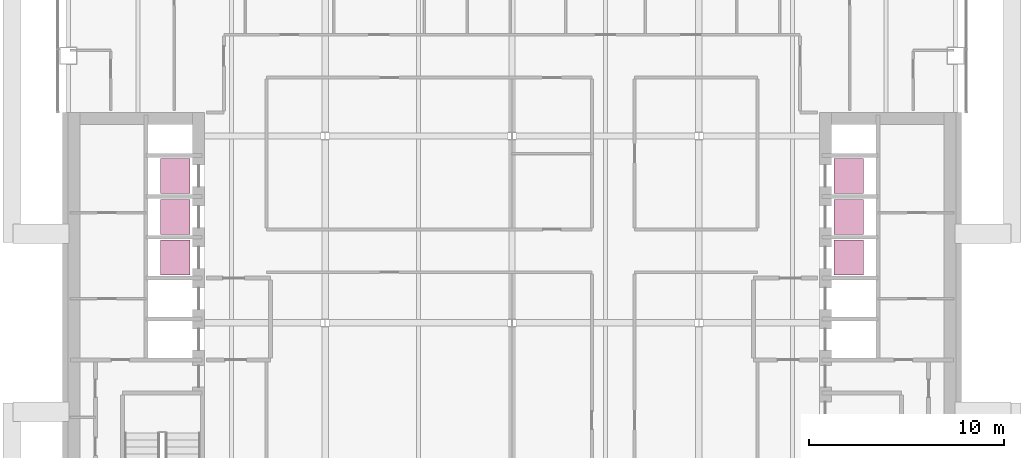
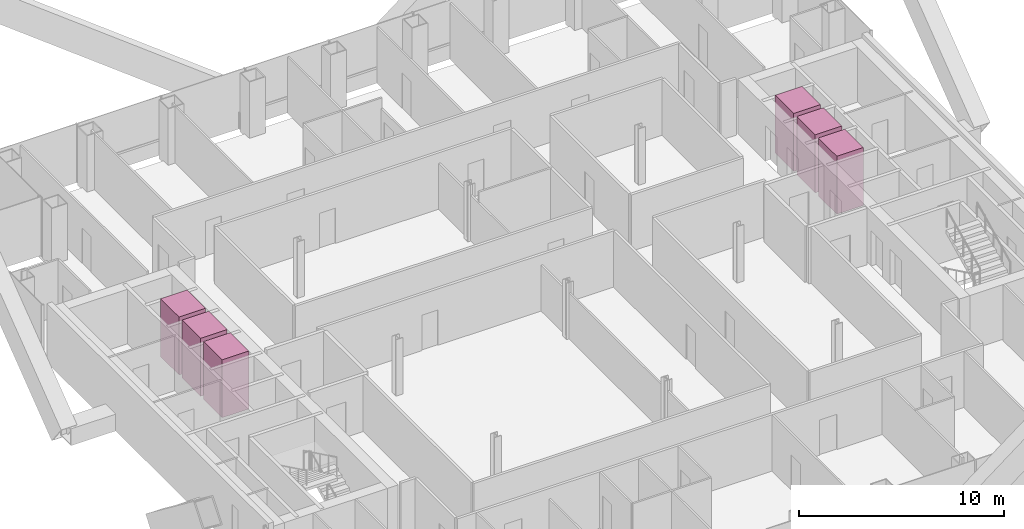
# One storey, part 17 of 17: 6 transport elements.
"""IFC4 building model written with IfcOpenShell, lengths in metres."""

import ifcopenshell
import ifcopenshell.guid

model = None  # the IFC model being written
_history = None  # IfcOwnerHistory: only IFC2X3 demands one
_inside = {}  # id of a spatial element -> (the spatial element, [elements in it])
_under = {}  # id of a project, library or spatial element -> (it, [spatial elements below it])
_declared = {}  # id of a project -> (the project, [libraries it declares])
_typed = {}  # id of a type object -> (the type object, [elements of that type])
_made_of = {}  # id of a material, layer set ... -> (it, [elements and type objects made of it])


def new_model(schema):
    """Start an empty IFC model of exactly this schema.

    Asked for "IFC4X3", IfcOpenShell would pick the latest addendum, in which some entities
    have other attributes; the version numbers below select the first issue.
    IFC2X3 requires an IfcOwnerHistory on every rooted entity: one is made here for all.
    """
    global model, _history
    if schema == "IFC4X3":
        model = ifcopenshell.file(schema_version=(4, 3, 0, 0))
    else:
        model = ifcopenshell.file(schema=schema)
    _inside.clear()
    _under.clear()
    _declared.clear()
    _typed.clear()
    _made_of.clear()
    _history = None
    if model.schema == "IFC2X3":
        org = make("IfcOrganization", Name="unknown")
        user = make(
            "IfcPersonAndOrganization",
            ThePerson=make("IfcPerson", FamilyName="unknown"),
            TheOrganization=org,
        )
        app = make(
            "IfcApplication",
            ApplicationDeveloper=org,
            Version="unknown",
            ApplicationFullName="unknown",
            ApplicationIdentifier="unknown",
        )
        _history = make(
            "IfcOwnerHistory",
            OwningUser=user,
            OwningApplication=app,
            ChangeAction="ADDED",
            CreationDate=0,
        )
    return model


def make(cls, **values):
    """One entity of the class cls with the attributes given. An attribute that is None is left unset."""
    return model.create_entity(
        cls, **{name: value for name, value in values.items() if value is not None}
    )


def rooted(cls, **values):
    """An entity with a GlobalId (a new one), such as an element, a storey or a relation."""
    return make(cls, GlobalId=ifcopenshell.guid.new(), OwnerHistory=_history, **values)


def si_unit(unit_type, name, prefix=None):
    """IfcSIUnit, for example si_unit("LENGTHUNIT", "METRE", prefix="MILLI")."""
    return make("IfcSIUnit", UnitType=unit_type, Prefix=prefix, Name=name)


def assignment(units):
    """IfcUnitAssignment: the units of a project."""
    return None if units is None else make("IfcUnitAssignment", Units=units)


def point(xyz):
    """IfcCartesianPoint."""
    return None if xyz is None else make("IfcCartesianPoint", Coordinates=xyz)


def direction(xyz):
    """IfcDirection."""
    return None if xyz is None else make("IfcDirection", DirectionRatios=xyz)


def frame(location, z_axis=None, x_axis=None):
    """IfcAxis2Placement3D, a coordinate frame: its origin and axes. An axis left out is left unset."""
    return make(
        "IfcAxis2Placement3D",
        Location=point(location),
        Axis=direction(z_axis),
        RefDirection=direction(x_axis),
    )


def frame_2d(location, x_axis=None):
    """IfcAxis2Placement2D, a coordinate frame in the plane: its origin and x axis."""
    return make(
        "IfcAxis2Placement2D", Location=point(location), RefDirection=direction(x_axis)
    )


def origin():
    """The frame at (0, 0, 0) with its axes left unset."""
    return frame((0.0, 0.0, 0.0))


def origin_2d():
    """The frame at (0, 0) in the plane with its x axis left unset."""
    return frame_2d((0.0, 0.0))


def place(relative_to, where):
    """IfcLocalPlacement: puts the frame where relative to a parent placement (None: the world)."""
    return make(
        "IfcLocalPlacement", PlacementRelTo=relative_to, RelativePlacement=where
    )


def context(
    kind, dimensions, precision=None, world=None, true_north=None, identifier=None
):
    """IfcGeometricRepresentationContext, for example the 3D "Model" context."""
    return make(
        "IfcGeometricRepresentationContext",
        ContextIdentifier=identifier,
        ContextType=kind,
        CoordinateSpaceDimension=dimensions,
        Precision=precision,
        WorldCoordinateSystem=world,
        TrueNorth=true_north,
    )


def subcontext(parent, identifier, kind, view, scale=None):
    """IfcGeometricRepresentationSubContext, for example "Body" below "Model"."""
    return make(
        "IfcGeometricRepresentationSubContext",
        ContextIdentifier=identifier,
        ContextType=kind,
        ParentContext=parent,
        TargetScale=scale,
        TargetView=view,
    )


def project(units=None, contexts=None):
    """IfcProject with its units and contexts."""
    return rooted(
        "IfcProject",
        Name="project",
        RepresentationContexts=contexts,
        UnitsInContext=assignment(units),
    )


def spatial(cls, under=None, at=None, **own):
    """A site, building, storey or space (cls), placed at a placement, below another one or the project."""
    s = rooted(cls, ObjectPlacement=at, **own)
    if under is not None:
        _under.setdefault(under.id(), (under, []))[1].append(s)
    return s


def profile(cls, at=None, kind="AREA", **sizes):
    """A parametric profile (cls). Its sizes go by their IFC names, for example OverallWidth=200.0."""
    return make(cls, ProfileType=kind, Position=at, **sizes)


def rectangle(**sizes):
    """IfcRectangleProfileDef."""
    return profile("IfcRectangleProfileDef", **sizes)


def extrude(swept, where, along, depth):
    """IfcExtrudedAreaSolid: the profile swept, set in the frame where, extruded along a direction by depth."""
    return make(
        "IfcExtrudedAreaSolid",
        SweptArea=swept,
        Position=where,
        ExtrudedDirection=direction(along),
        Depth=depth,
    )


def shape(context_of_items, identifier, shape_type, items):
    """IfcShapeRepresentation: the items that make up one representation, for example the "Body"."""
    return make(
        "IfcShapeRepresentation",
        ContextOfItems=context_of_items,
        RepresentationIdentifier=identifier,
        RepresentationType=shape_type,
        Items=items,
    )


def material(Name=None, Category=None):
    """IfcMaterial."""
    return make("IfcMaterial", Name=Name, Category=Category)


def made_of(thing, what):
    """Note that an element or type object is made of a material, layer set ...; save() writes the relation."""
    if what is not None:
        _made_of.setdefault(what.id(), (what, []))[1].append(thing)
    return thing


def type_object(cls, material=None, **own):
    """A type object (cls), such as IfcWallType, which elements share."""
    return made_of(rooted(cls, **own), material)


def element(
    cls,
    number,
    at=None,
    inside=None,
    cuts=None,
    type_object=None,
    material=None,
    context=None,
    identifier="Body",
    shape_type=None,
    held_by="IfcProductDefinitionShape",
    body=None,
    shapes=None,
    **own,
):
    """One element of the class cls, such as IfcWall. Its Tag is "e" and its number.

    at: its placement. inside: the storey or other place that contains it. cuts: it is an
    opening in that element (IfcRelVoidsElement). A single representation is given by context,
    identifier, shape_type and body (its items); several are given by shapes. held_by: the class
    of the entity that holds the representations. save() writes the other relations.
    """
    e = rooted(cls, Tag="e%d" % number, ObjectPlacement=at, **own)
    if body is not None:
        shapes = [shape(context, identifier, shape_type, body)]
    if shapes is not None:
        e.Representation = make(held_by, Representations=shapes)
    if inside is not None:
        _inside.setdefault(inside.id(), (inside, []))[1].append(e)
    if cuts is not None:
        rooted(
            "IfcRelVoidsElement", RelatingBuildingElement=cuts, RelatedOpeningElement=e
        )
    if type_object is not None:
        _typed.setdefault(type_object.id(), (type_object, []))[1].append(e)
    return made_of(e, material)


def aggregate(whole, parts):
    """IfcRelAggregates: a whole, such as a stair, and the parts it consists of."""
    return rooted("IfcRelAggregates", RelatingObject=whole, RelatedObjects=parts)


def save(model, path):
    """Write the relations noted so far, then the file.

    IfcRelAggregates (storeys below a building ...), IfcRelContainedInSpatialStructure (elements
    in a storey), IfcRelDefinesByType, IfcRelAssociatesMaterial and IfcRelDeclares: one each for
    every whole, place, type object, material and project.
    """
    for whole, parts in _under.values():
        aggregate(whole, parts)
    for where, things in _inside.values():
        rooted(
            "IfcRelContainedInSpatialStructure",
            RelatedElements=things,
            RelatingStructure=where,
        )
    for kind, things in _typed.values():
        rooted("IfcRelDefinesByType", RelatedObjects=things, RelatingType=kind)
    for what, things in _made_of.values():
        rooted("IfcRelAssociatesMaterial", RelatedObjects=things, RelatingMaterial=what)
    for by, libraries in _declared.values():
        rooted("IfcRelDeclares", RelatingContext=by, RelatedDefinitions=libraries)
    model.write(path)


model = new_model("IFC4")

# Units and contexts
model_context = context("Model", 3, precision=1e-05, world=origin(), true_north=direction((0.0, 1.0)))
body_context = subcontext(model_context, "Body", "Model", "MODEL_VIEW")
ifc_project = project(units=[si_unit("LENGTHUNIT", "METRE"), si_unit("AREAUNIT", "SQUARE_METRE"), si_unit("VOLUMEUNIT", "CUBIC_METRE"), si_unit("PLANEANGLEUNIT", "RADIAN"), si_unit("MASSUNIT", "GRAM", prefix="KILO")], contexts=[model_context])

# Site, building, storey
site_placement = place(None, origin())
site = spatial("IfcSite", under=ifc_project, at=site_placement, CompositionType="ELEMENT")
building_placement = place(site_placement, origin())
building = spatial("IfcBuilding", under=site, at=building_placement, Name="Cobrizo Arcos Hotel Tower", CompositionType="ELEMENT")
storey_placement = place(building_placement, frame((0.0, 0.0, 106.5)))
storey = spatial("IfcBuildingStorey", under=building, at=storey_placement, Name="L26", CompositionType="ELEMENT", Elevation=106.5)

# Transport elements
ifc_material = material(Name="Stainless steel car", Category="steel")
transport_element_type = type_object("IfcTransportElementType", Name="Lift car Low 1.8x1.5", PredefinedType="ELEVATOR", material=ifc_material)
for number, where, z_axis, x_axis, name in (
    (1, (-17.300048828125, 3.35009765625, 0.0), (0.0, 0.0, 1.0), (1.0, 0.0, 0.0), "Low-rise passenger lift W1"),
    (2, (-17.300048828125, 5.449951171875, 0.0), (0.0, 0.0, 1.0), (1.0, 0.0, 0.0), "Low-rise passenger lift W2"),
    (3, (-17.300048828125, 7.550048828125, 0.0), (0.0, 0.0, 1.0), (1.0, 0.0, 0.0), "Low-rise passenger lift W3"),
    (4, (17.300048828125, 3.35009765625, 0.0), (0.0, 0.0, 1.0), (1.0, 0.0, 0.0), "Low-rise passenger lift E1"),
    (5, (17.300048828125, 5.449951171875, 0.0), (0.0, 0.0, 1.0), (1.0, 0.0, 0.0), "Low-rise passenger lift E2"),
    (6, (17.300048828125, 7.550048828125, 0.0), (0.0, 0.0, 1.0), (1.0, 0.0, 0.0), "Low-rise passenger lift E3"),
):
    element("IfcTransportElement", number, at=place(storey_placement, frame(where, z_axis=z_axis, x_axis=x_axis)), inside=storey, type_object=transport_element_type, Name=name, PredefinedType="ELEVATOR", context=body_context, shape_type="SweptSolid", body=[
        extrude(rectangle(XDim=1.5, YDim=1.800048828125, at=origin_2d()), origin(), (0.0, 0.0, 1.0), 3.449951171875),
    ])

save(model, "model.ifc")
